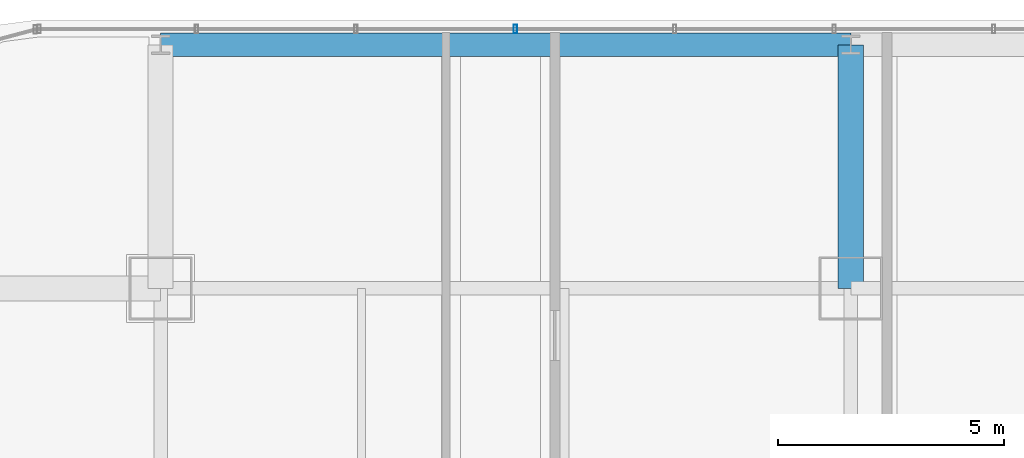
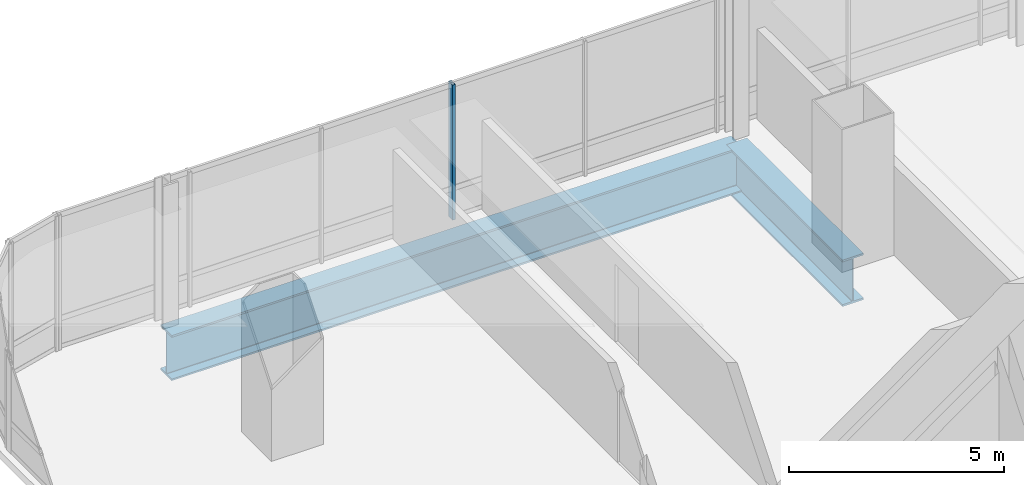
# One storey, part 22 of 37: 2 beams, 1 member, 1 element without a shape of its own.
"""IFC4 building model written with IfcOpenShell, lengths in metres."""

from ifc_helpers import new_model, si_unit, direction, frame, origin, origin_2d, place, context, subcontext, project, spatial, hollow_rectangle, i_section, extrude, material, material_profile, profile_set, type_object, element, aggregate, save


model = new_model("IFC4")

# Units and contexts
model_context = context("Model", 3, precision=1e-05, world=origin(), true_north=direction((0.0, 1.0)))
body_context = subcontext(model_context, "Body", "Model", "MODEL_VIEW")
ifc_project = project(units=[si_unit("LENGTHUNIT", "METRE"), si_unit("AREAUNIT", "SQUARE_METRE"), si_unit("VOLUMEUNIT", "CUBIC_METRE"), si_unit("PLANEANGLEUNIT", "RADIAN"), si_unit("MASSUNIT", "GRAM", prefix="KILO")], contexts=[model_context])

# Site, building, storey
site_placement = place(None, origin())
site = spatial("IfcSite", under=ifc_project, at=site_placement, CompositionType="ELEMENT")
building_placement = place(site_placement, origin())
building = spatial("IfcBuilding", under=site, at=building_placement, Name="Punatoya Terracotta Tower", CompositionType="ELEMENT")
storey_placement = place(building_placement, frame((0.0, 0.0, 164.10009765625)))
storey = spatial("IfcBuildingStorey", under=building, at=storey_placement, Name="L38", CompositionType="ELEMENT", Elevation=164.10009765625)

# Beams
ifc_material_1 = material(Name="Steel S460", Category="steel")
ifc_material_profile_1 = material_profile(ifc_material_1, i_section(OverallWidth=0.56005859375, OverallDepth=1.320068359375, WebThickness=0.035888671875, FlangeThickness=0.054931640625, FilletRadius=0.01806640625, at=origin_2d()))
ifc_profile_set_1 = profile_set([ifc_material_profile_1], Name="Steel S460")
beam_type_1 = type_object("IfcBeamType", Name="BM-TG-BLK", PredefinedType="BEAM", material=ifc_profile_set_1)
beam_1_placement = place(storey_placement, frame((-3.800048828125, 17.5, -0.880126953125), z_axis=(0.0, 1.0, 0.0), x_axis=(-1.0, 0.0, 0.0)))
element("IfcBeam", 1, at=beam_1_placement, inside=storey, type_object=beam_type_1, Name="BM-L38-CANT-N2", PredefinedType="BEAM", context=body_context, shape_type="SweptSolid", body=[
    extrude(i_section(OverallWidth=0.56005859375, OverallDepth=1.320068359375, WebThickness=0.035888671875, FlangeThickness=0.054931640625, FilletRadius=0.01806640625, at=origin_2d()), origin(), (0.0, 0.0, 1.0), 5.39990234375),
])
ifc_material_profile_2 = material_profile(ifc_material_1, i_section(OverallWidth=0.52001953125, OverallDepth=1.280029296875, WebThickness=0.031982421875, FlangeThickness=0.050048828125, FilletRadius=0.01806640625, at=origin_2d()))
ifc_profile_set_2 = profile_set([ifc_material_profile_2], Name="Steel S460")
beam_type_2 = type_object("IfcBeamType", Name="BM-TG-NCK", PredefinedType="BEAM", material=ifc_profile_set_2)
beam_2_placement = place(storey_placement, frame((-19.10009765625, 22.89990234375, -0.860107421875), z_axis=(1.0, 0.0, 0.0), x_axis=(0.0, 1.0, 0.0)))
element("IfcBeam", 2, at=beam_2_placement, inside=storey, type_object=beam_type_2, Name="BM-L38-PER-N1", PredefinedType="BEAM", context=body_context, shape_type="SweptSolid", body=[
    extrude(i_section(OverallWidth=0.52001953125, OverallDepth=1.280029296875, WebThickness=0.031982421875, FlangeThickness=0.050048828125, FilletRadius=0.01806640625, at=origin_2d()), origin(), (0.0, 0.0, 1.0), 15.300048828125),
])

# Curtain wall, member
ifc_material_2 = material(Name="Aluminium 6063-T6 + Double Low-E Glass", Category="aluminium")
curtain_wall_type = type_object("IfcCurtainWallType", Name="CW-M2", PredefinedType="NOTDEFINED", material=ifc_material_2)
curtain_wall_placement = place(storey_placement, origin())
curtain_wall = element("IfcCurtainWall", 3, at=curtain_wall_placement, inside=storey, type_object=curtain_wall_type, Name="L38 Curtain Wall CW-L38-N09-1", PredefinedType="NOTDEFINED")
ifc_material_3 = material(Name="Aluminium 6063-T6", Category="aluminium")
ifc_material_profile_3 = material_profile(ifc_material_3, hollow_rectangle(XDim=0.072021484375, YDim=0.195068359375, WallThickness=0.00439453125, at=origin_2d()))
ifc_profile_set_3 = profile_set([ifc_material_profile_3], Name="Aluminium 6063-T6")
member_type = type_object("IfcMemberType", Name="CW-MUL-M2", PredefinedType="MULLION", material=ifc_profile_set_3)
member_placement = place(storey_placement, frame((-11.235107421875, 23.25, 0.0), z_axis=(0.0, 0.0, 1.0), x_axis=(1.0, 0.0, 0.0)))
member = element("IfcMember", 4, at=member_placement, type_object=member_type, Name="CW-L38-N09-1 Mullion 08", PredefinedType="MULLION", context=body_context, shape_type="SweptSolid", body=[
    extrude(hollow_rectangle(XDim=0.072021484375, YDim=0.195068359375, WallThickness=0.00439453125, at=origin_2d()), origin(), (0.0, 0.0, 1.0), 3.829833984375),
])
aggregate(curtain_wall, [member])

save(model, "model.ifc")
